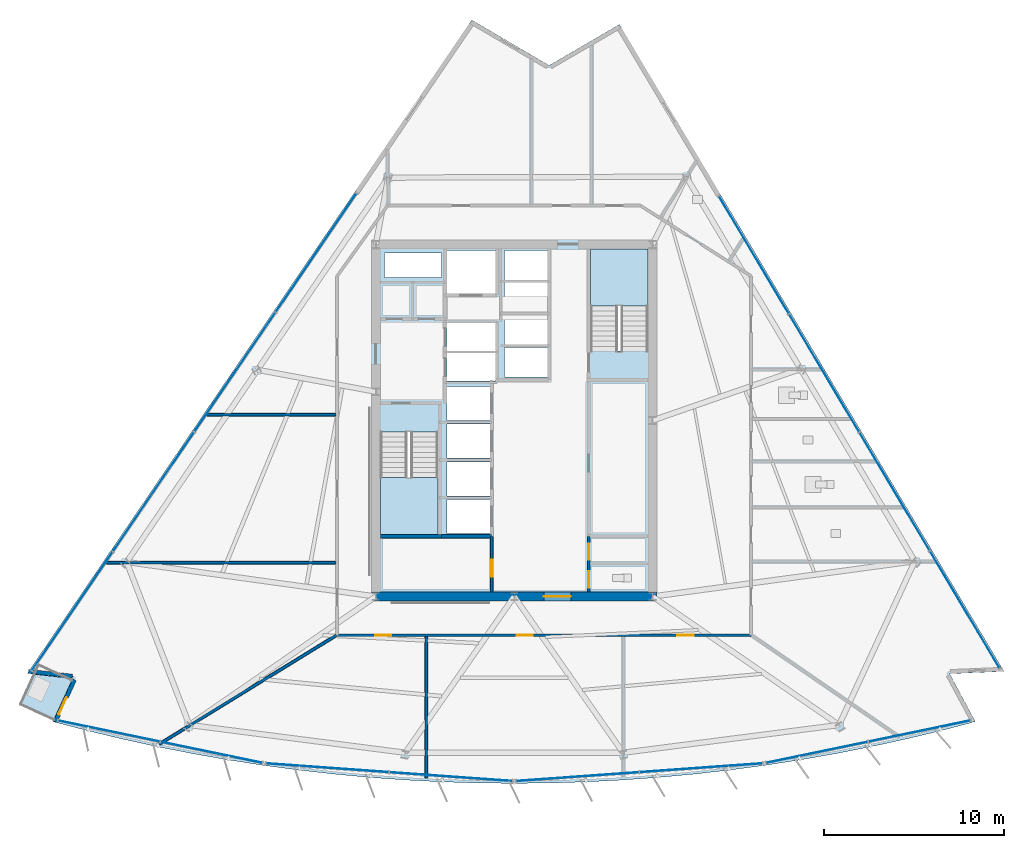
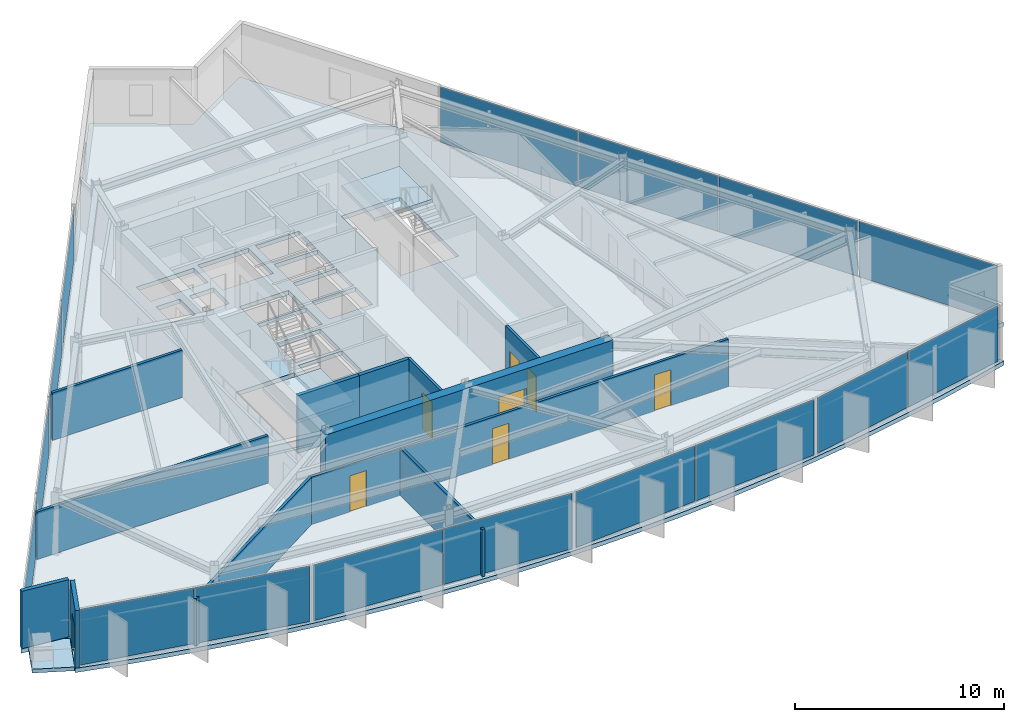
# One storey, part 7 of 15: 16 plates, 12 walls, 8 doors, 4 slabs, 8 openings, 8 elements without a shape of their own.
"""IFC4 building model written with IfcOpenShell, lengths in metres."""

from ifc_helpers import new_model, si_unit, direction, frame, frame_2d, origin, origin_2d, place, context, subcontext, project, spatial, polyline, rectangle, outline, extrude, material, layer, layer_set, type_object, element, fill, aggregate, save


model = new_model("IFC4")

# Units and contexts
model_context = context("Model", 3, precision=1e-05, world=origin(), true_north=direction((0.0, 1.0)))
body_context = subcontext(model_context, "Body", "Model", "MODEL_VIEW")
ifc_project = project(units=[si_unit("LENGTHUNIT", "METRE"), si_unit("AREAUNIT", "SQUARE_METRE"), si_unit("VOLUMEUNIT", "CUBIC_METRE"), si_unit("PLANEANGLEUNIT", "RADIAN"), si_unit("MASSUNIT", "GRAM", prefix="KILO")], contexts=[model_context])

# Site, building, storey
site_placement = place(None, origin())
site = spatial("IfcSite", under=ifc_project, at=site_placement, CompositionType="ELEMENT")
building_placement = place(site_placement, origin())
building = spatial("IfcBuilding", under=site, at=building_placement, Name="Savorim Split Tower", CompositionType="ELEMENT")
storey_placement = place(building_placement, frame((0.0, 0.0, 138.60009765625)))
storey = spatial("IfcBuildingStorey", under=building, at=storey_placement, Name="L36", CompositionType="ELEMENT", Elevation=138.60009765625)

# Curtain wall, plates
ifc_material_1 = material(Name="Dark Ceramic-Fritted Insulated Glass", Category="glass")
curtain_wall_type = type_object("IfcCurtainWallType", Name="CW-TWR-FRIT-A", PredefinedType="NOTDEFINED", material=ifc_material_1)
curtain_wall_1_placement = place(storey_placement, origin())
curtain_wall_1 = element("IfcCurtainWall", 1, at=curtain_wall_1_placement, inside=storey, type_object=curtain_wall_type, Name="L36 Curtain Wall CW-L36-SF1", PredefinedType="NOTDEFINED")
ifc_layer_1 = layer(ifc_material_1, 0.028076171875)
ifc_layer_set_1 = layer_set([ifc_layer_1], Name="CWP-FRITA-28")
plate_type = type_object("IfcPlateType", Name="CWP-FRITA-28", PredefinedType="CURTAIN_PANEL", material=ifc_layer_set_1)
plate_1_placement = place(storey_placement, frame((-22.55322265625, -16.891357421875, 0.0546875), z_axis=(0.0, 0.0, 1.0), x_axis=(0.979135184824, -0.203209964912, 0.0)))
plate_1 = element("IfcPlate", 2, at=plate_1_placement, type_object=plate_type, Name="CW-02 panel 1.1", PredefinedType="CURTAIN_PANEL", context=body_context, shape_type="SweptSolid", body=[
    extrude(rectangle(XDim=5.75390625, YDim=0.028076171875, at=origin_2d()), origin(), (0.0, 0.0, 1.0), 3.239990234375),
])
plate_2_placement = place(storey_placement, frame((-16.85595703125, -18.073974609375, 0.0546875), z_axis=(0.0, 0.0, 1.0), x_axis=(0.979135184824, -0.203209964912, 0.0)))
plate_2 = element("IfcPlate", 3, at=plate_2_placement, type_object=plate_type, Name="CW-02 panel 2.1", PredefinedType="CURTAIN_PANEL", context=body_context, shape_type="SweptSolid", body=[
    extrude(rectangle(XDim=5.75390625, YDim=0.028076171875, at=origin_2d()), origin(), (0.0, 0.0, 1.0), 3.239990234375),
])
aggregate(curtain_wall_1, [plate_1, plate_2])

curtain_wall_2_placement = place(storey_placement, origin())
curtain_wall_2 = element("IfcCurtainWall", 4, at=curtain_wall_2_placement, inside=storey, type_object=curtain_wall_type, Name="L36 Curtain Wall CW-L36-SF2", PredefinedType="NOTDEFINED")
plate_3_placement = place(storey_placement, frame((-10.40087890625, -18.93505859375, 0.0546875), z_axis=(0.0, 0.0, 1.0), x_axis=(0.997436231017, -0.071560918492, 0.0)))
plate_3 = element("IfcPlate", 5, at=plate_3_placement, type_object=plate_type, Name="CW-02 panel 1.1", PredefinedType="CURTAIN_PANEL", context=body_context, shape_type="SweptSolid", body=[
    extrude(rectangle(XDim=6.830810546875, YDim=0.028076171875, at=origin_2d()), origin(), (0.0, 0.0, 1.0), 3.239990234375),
])
plate_4_placement = place(storey_placement, frame((-3.522705078125, -19.428466796875, 0.0546875), z_axis=(0.0, 0.0, 1.0), x_axis=(0.997436231017, -0.071560918492, 0.0)))
plate_4 = element("IfcPlate", 6, at=plate_4_placement, type_object=plate_type, Name="CW-02 panel 2.1", PredefinedType="CURTAIN_PANEL", context=body_context, shape_type="SweptSolid", body=[
    extrude(rectangle(XDim=6.830810546875, YDim=0.028076171875, at=origin_2d()), origin(), (0.0, 0.0, 1.0), 3.239990234375),
])
aggregate(curtain_wall_2, [plate_3, plate_4])

curtain_wall_3_placement = place(storey_placement, origin())
curtain_wall_3 = element("IfcCurtainWall", 7, at=curtain_wall_3_placement, inside=storey, type_object=curtain_wall_type, Name="L36 Curtain Wall CW-L36-SF3", PredefinedType="NOTDEFINED")
plate_5_placement = place(storey_placement, frame((3.522705078125, -19.428466796875, 0.0546875), z_axis=(0.0, 0.0, 1.0), x_axis=(0.997436231017, 0.071560918492, 0.0)))
plate_5 = element("IfcPlate", 8, at=plate_5_placement, type_object=plate_type, Name="CW-02 panel 1.1", PredefinedType="CURTAIN_PANEL", context=body_context, shape_type="SweptSolid", body=[
    extrude(rectangle(XDim=6.830810546875, YDim=0.028076171875, at=origin_2d()), origin(), (0.0, 0.0, 1.0), 3.239990234375),
])
plate_6_placement = place(storey_placement, frame((10.40087890625, -18.93505859375, 0.0546875), z_axis=(0.0, 0.0, 1.0), x_axis=(0.997436231017, 0.071560918492, 0.0)))
plate_6 = element("IfcPlate", 9, at=plate_6_placement, type_object=plate_type, Name="CW-02 panel 2.1", PredefinedType="CURTAIN_PANEL", context=body_context, shape_type="SweptSolid", body=[
    extrude(rectangle(XDim=6.830810546875, YDim=0.028076171875, at=origin_2d()), origin(), (0.0, 0.0, 1.0), 3.239990234375),
])
aggregate(curtain_wall_3, [plate_5, plate_6])

curtain_wall_4_placement = place(storey_placement, origin())
curtain_wall_4 = element("IfcCurtainWall", 10, at=curtain_wall_4_placement, inside=storey, type_object=curtain_wall_type, Name="L36 Curtain Wall CW-L36-SF4", PredefinedType="NOTDEFINED")
plate_7_placement = place(storey_placement, frame((16.85595703125, -18.073974609375, 0.0546875), z_axis=(0.0, 0.0, 1.0), x_axis=(0.979135184824, 0.203209964912, 0.0)))
plate_7 = element("IfcPlate", 11, at=plate_7_placement, type_object=plate_type, Name="CW-02 panel 1.1", PredefinedType="CURTAIN_PANEL", context=body_context, shape_type="SweptSolid", body=[
    extrude(rectangle(XDim=5.75390625, YDim=0.028076171875, at=origin_2d()), origin(), (0.0, 0.0, 1.0), 3.239990234375),
])
plate_8_placement = place(storey_placement, frame((22.55322265625, -16.891357421875, 0.0546875), z_axis=(0.0, 0.0, 1.0), x_axis=(0.979135184824, 0.203209964912, 0.0)))
plate_8 = element("IfcPlate", 12, at=plate_8_placement, type_object=plate_type, Name="CW-02 panel 2.1", PredefinedType="CURTAIN_PANEL", context=body_context, shape_type="SweptSolid", body=[
    extrude(rectangle(XDim=5.75390625, YDim=0.028076171875, at=origin_2d()), origin(), (0.0, 0.0, 1.0), 3.239990234375),
])
aggregate(curtain_wall_4, [plate_7, plate_8])

curtain_wall_5_placement = place(storey_placement, origin())
curtain_wall_5 = element("IfcCurtainWall", 13, at=curtain_wall_5_placement, inside=storey, type_object=curtain_wall_type, Name="L36 Curtain Wall CW-L36-EAST", PredefinedType="NOTDEFINED")
plate_9_placement = place(storey_placement, frame((25.0810546875, -10.131591796875, 0.0546875), z_axis=(0.0, 0.0, 1.0), x_axis=(-0.511091470039, 0.859526328423, 0.0)))
plate_9 = element("IfcPlate", 14, at=plate_9_placement, type_object=plate_type, Name="CW-02 panel 1.1", PredefinedType="CURTAIN_PANEL", context=body_context, shape_type="SweptSolid", body=[
    extrude(rectangle(XDim=7.57177734375, YDim=0.028076171875, at=origin_2d()), origin(), (0.0, 0.0, 1.0), 3.239990234375),
])
plate_10_placement = place(storey_placement, frame((21.169677734375, -3.553466796875, 0.0546875), z_axis=(0.0, 0.0, 1.0), x_axis=(-0.511091470039, 0.859526328423, 0.0)))
plate_10 = element("IfcPlate", 15, at=plate_10_placement, type_object=plate_type, Name="CW-02 panel 2.1", PredefinedType="CURTAIN_PANEL", context=body_context, shape_type="SweptSolid", body=[
    extrude(rectangle(XDim=7.604248046875, YDim=0.028076171875, at=origin_2d()), origin(), (0.0, 0.0, 1.0), 3.239990234375),
])
plate_11_placement = place(storey_placement, frame((17.25, 3.038330078125, 0.0546875), z_axis=(0.0, 0.0, 1.0), x_axis=(-0.511091470039, 0.859526328423, 0.0)))
plate_11 = element("IfcPlate", 16, at=plate_11_placement, type_object=plate_type, Name="CW-02 panel 3.1", PredefinedType="CURTAIN_PANEL", context=body_context, shape_type="SweptSolid", body=[
    extrude(rectangle(XDim=7.604248046875, YDim=0.028076171875, at=origin_2d()), origin(), (0.0, 0.0, 1.0), 3.239990234375),
])
plate_12_placement = place(storey_placement, frame((13.338623046875, 9.6162109375, 0.0546875), z_axis=(0.0, 0.0, 1.0), x_axis=(-0.511091470039, 0.859526328423, 0.0)))
plate_12 = element("IfcPlate", 17, at=plate_12_placement, type_object=plate_type, Name="CW-02 panel 4.1", PredefinedType="CURTAIN_PANEL", context=body_context, shape_type="SweptSolid", body=[
    extrude(rectangle(XDim=7.57177734375, YDim=0.028076171875, at=origin_2d()), origin(), (0.0, 0.0, 1.0), 3.239990234375),
])
aggregate(curtain_wall_5, [plate_9, plate_10, plate_11, plate_12])

curtain_wall_6_placement = place(storey_placement, origin())
curtain_wall_6 = element("IfcCurtainWall", 18, at=curtain_wall_6_placement, inside=storey, type_object=curtain_wall_type, Name="L36 Curtain Wall CW-L36-WEST", PredefinedType="NOTDEFINED")
plate_13_placement = place(storey_placement, frame((-11.025146484375, 9.7373046875, 0.0546875), z_axis=(0.0, 0.0, 1.0), x_axis=(-0.562466456356, -0.826820104662, 0.0)))
plate_13 = element("IfcPlate", 19, at=plate_13_placement, type_object=plate_type, Name="CW-02 panel 1.1", PredefinedType="CURTAIN_PANEL", context=body_context, shape_type="SweptSolid", body=[
    extrude(rectangle(XDim=7.9580078125, YDim=0.028076171875, at=origin_2d()), origin(), (0.0, 0.0, 1.0), 3.239990234375),
])
plate_14_placement = place(storey_placement, frame((-15.547119140625, 3.090087890625, 0.0546875), z_axis=(0.0, 0.0, 1.0), x_axis=(-0.562466456356, -0.826820104662, 0.0)))
plate_14 = element("IfcPlate", 20, at=plate_14_placement, type_object=plate_type, Name="CW-02 panel 2.1", PredefinedType="CURTAIN_PANEL", context=body_context, shape_type="SweptSolid", body=[
    extrude(rectangle(XDim=7.990478515625, YDim=0.028076171875, at=origin_2d()), origin(), (0.0, 0.0, 1.0), 3.239990234375),
])
plate_15_placement = place(storey_placement, frame((-20.077880859375, -3.5703125, 0.0546875), z_axis=(0.0, 0.0, 1.0), x_axis=(-0.562466456356, -0.826820104662, 0.0)))
plate_15 = element("IfcPlate", 21, at=plate_15_placement, type_object=plate_type, Name="CW-02 panel 3.1", PredefinedType="CURTAIN_PANEL", context=body_context, shape_type="SweptSolid", body=[
    extrude(rectangle(XDim=7.990478515625, YDim=0.028076171875, at=origin_2d()), origin(), (0.0, 0.0, 1.0), 3.239990234375),
])
plate_16_placement = place(storey_placement, frame((-24.599853515625, -10.217529296875, 0.0546875), z_axis=(0.0, 0.0, 1.0), x_axis=(-0.562466456356, -0.826820104662, 0.0)))
plate_16 = element("IfcPlate", 22, at=plate_16_placement, type_object=plate_type, Name="CW-02 panel 4.1", PredefinedType="CURTAIN_PANEL", context=body_context, shape_type="SweptSolid", body=[
    extrude(rectangle(XDim=7.9580078125, YDim=0.028076171875, at=origin_2d()), origin(), (0.0, 0.0, 1.0), 3.239990234375),
])
aggregate(curtain_wall_6, [plate_13, plate_14, plate_15, plate_16])

# Slab
ifc_material_2 = material(Name="Concrete C50/60", Category="concrete")
ifc_layer_2 = layer(ifc_material_2, 0.219970703125)
ifc_layer_set_2 = layer_set([ifc_layer_2], Name="SLB-BAL-220")
slab_type_1 = type_object("IfcSlabType", Name="SLB-BAL-220", PredefinedType="FLOOR", material=ifc_layer_set_2)
slab_1_placement = place(storey_placement, frame((0.0, 0.0, -0.22021484375)))
element("IfcSlab", 23, at=slab_1_placement, inside=storey, type_object=slab_type_1, Name="L36 Notched Corner Planted Tree Balcony Slab", PredefinedType="FLOOR", context=body_context, shape_type="SweptSolid", body=[
    extrude(outline(polyline([(-25.628173828125, -16.25537109375), (-24.62158203125, -14.06494140625), (-24.93212890625, -13.92236328125), (-26.71533203125, -13.723388671875), (-27.486328125, -15.401611328125), (-25.628173828125, -16.25537109375)])), origin(), (0.0, 0.0, 1.0), 0.22021484375),
])

# Stair, slab
stair_type = type_object("IfcStairType", Name="STR-DOG-3600", PredefinedType="HALF_TURN_STAIR", material=ifc_material_2)
stair_1_placement = place(storey_placement, origin())
stair_1 = element("IfcStair", 24, at=stair_1_placement, inside=storey, type_object=stair_type, Name="L36 Core Protected Exit Stair ST-1", PredefinedType="HALF_TURN_STAIR")
ifc_layer_3 = layer(ifc_material_2, 0.199951171875)
ifc_layer_set_3 = layer_set([ifc_layer_3], Name="SLB-LND-200")
slab_type_2 = type_object("IfcSlabType", Name="SLB-LND-200", PredefinedType="LANDING", material=ifc_layer_set_3)
slab_2_placement = place(storey_placement, frame((0.0, 0.0, 1.599853515625)))
slab_2 = element("IfcSlab", 25, at=slab_2_placement, type_object=slab_type_2, Name="ST-1 landing 1", PredefinedType="LANDING", context=body_context, shape_type="SweptSolid", body=[
    extrude(outline(polyline([(-7.449951171875, -2.77001953125), (-7.449951171875, -5.949951171875), (-4.25, -5.949951171875), (-4.25, -2.77001953125), (-7.449951171875, -2.77001953125)])), origin(), (0.0, 0.0, 1.0), 0.199951171875),
])
aggregate(stair_1, [slab_2])

stair_2_placement = place(storey_placement, origin())
stair_2 = element("IfcStair", 26, at=stair_2_placement, inside=storey, type_object=stair_type, Name="L36 Core Protected Exit Stair ST-2", PredefinedType="HALF_TURN_STAIR")
slab_3_placement = place(storey_placement, frame((0.0, 0.0, 1.599853515625)))
slab_3 = element("IfcSlab", 27, at=slab_3_placement, type_object=slab_type_2, Name="ST-2 landing 1", PredefinedType="LANDING", context=body_context, shape_type="SweptSolid", body=[
    extrude(outline(polyline([(7.449951171875, 6.77001953125), (7.449951171875, 9.949951171875), (4.25, 9.949951171875), (4.25, 6.77001953125), (7.449951171875, 6.77001953125)])), origin(), (0.0, 0.0, 1.0), 0.199951171875),
])
aggregate(stair_2, [slab_3])

# Slab
ifc_layer_4 = layer(ifc_material_2, 0.25)
ifc_layer_set_4 = layer_set([ifc_layer_4], Name="SLB-TWR-250")
slab_type_3 = type_object("IfcSlabType", Name="SLB-TWR-250", PredefinedType="FLOOR", material=ifc_layer_set_4)
slab_4_placement = place(storey_placement, frame((0.0, 0.0, -0.25)))
element("IfcSlab", 28, at=slab_4_placement, inside=storey, type_object=slab_type_3, Name="L36 Structural Floor Slab", PredefinedType="FLOOR", context=body_context, shape_type="SweptSolid", body=[
    extrude(outline(polyline([(-25.673583984375, -16.366455078125), (-23.740234375, -16.8720703125), (-21.797119140625, -17.337890625), (-19.844482421875, -17.763916015625), (-17.8837890625, -18.150146484375), (-15.915771484375, -18.495849609375), (-13.94091796875, -18.801513671875), (-11.960205078125, -19.06640625), (-9.974609375, -19.291015625), (-7.984619140625, -19.474609375), (-5.991455078125, -19.61767578125), (-3.99560546875, -19.7197265625), (-1.998291015625, -19.78125), (0.0, -19.801513671875), (1.998291015625, -19.78125), (3.99560546875, -19.7197265625), (5.991455078125, -19.61767578125), (7.984619140625, -19.474609375), (9.974609375, -19.291015625), (11.960205078125, -19.06640625), (13.94091796875, -18.801513671875), (15.915771484375, -18.495849609375), (17.8837890625, -18.150146484375), (19.844482421875, -17.763916015625), (21.797119140625, -17.337890625), (23.740234375, -16.8720703125), (25.673583984375, -16.366455078125), (24.24169921875, -13.69775390625), (27.2646484375, -13.569091796875), (5.852294921875, 22.44091796875), (1.943603515625, 20.162841796875), (-2.358154296875, 22.69091796875), (-27.097412109375, -13.675537109375), (-24.567138671875, -13.9580078125), (-25.673583984375, -16.366455078125)]), holes=[polyline([(-7.449951171875, -0.25390625), (-7.449951171875, -5.949951171875), (-4.25, -5.949951171875), (-4.25, -0.25390625), (-7.449951171875, -0.25390625)]), polyline([(7.449951171875, 4.25390625), (7.449951171875, 9.949951171875), (4.25, 9.949951171875), (4.25, 4.25390625), (7.449951171875, 4.25390625)]), polyline([(-3.75, -5.89990234375), (-1.35009765625, -5.89990234375), (-1.35009765625, -4.0), (-3.75, -4.0), (-3.75, -5.89990234375)]), polyline([(-3.75, -3.800048828125), (-1.35009765625, -3.800048828125), (-1.35009765625, -1.89990234375), (-3.75, -1.89990234375), (-3.75, -3.800048828125)]), polyline([(-3.75, -1.699951171875), (-1.35009765625, -1.699951171875), (-1.35009765625, 0.199951171875), (-3.75, 0.199951171875), (-3.75, -1.699951171875)]), polyline([(-3.75, 0.39990234375), (-1.35009765625, 0.39990234375), (-1.35009765625, 2.300048828125), (-3.75, 2.300048828125), (-3.75, 0.39990234375)]), polyline([(-0.550048828125, 2.830078125), (1.85009765625, 2.830078125), (1.85009765625, 4.469970703125), (-0.550048828125, 4.469970703125), (-0.550048828125, 2.830078125)]), polyline([(-0.550048828125, 4.6298828125), (1.85009765625, 4.6298828125), (1.85009765625, 6.27001953125), (-0.550048828125, 6.27001953125), (-0.550048828125, 4.6298828125)]), polyline([(-0.550048828125, 6.429931640625), (1.85009765625, 6.429931640625), (1.85009765625, 8.070068359375), (-0.550048828125, 8.070068359375), (-0.550048828125, 6.429931640625)]), polyline([(-0.550048828125, 8.22998046875), (1.85009765625, 8.22998046875), (1.85009765625, 9.8701171875), (-0.550048828125, 9.8701171875), (-0.550048828125, 8.22998046875)]), polyline([(-3.75, 2.60009765625), (-1.050048828125, 2.60009765625), (-1.050048828125, 4.159912109375), (-3.75, 4.159912109375), (-3.75, 2.60009765625)]), polyline([(-3.75, 4.280029296875), (-1.050048828125, 4.280029296875), (-1.050048828125, 5.840087890625), (-3.75, 5.840087890625), (-3.75, 4.280029296875)]), polyline([(-3.75, 7.449951171875), (-0.949951171875, 7.449951171875), (-0.949951171875, 9.85009765625), (-3.75, 9.85009765625), (-3.75, 7.449951171875)]), polyline([(-7.219970703125, 6.320068359375), (-5.919921875, 6.320068359375), (-5.919921875, 7.820068359375), (-7.219970703125, 7.820068359375), (-7.219970703125, 6.320068359375)]), polyline([(-5.3798828125, 6.320068359375), (-4.050048828125, 6.320068359375), (-4.050048828125, 7.820068359375), (-5.3798828125, 7.820068359375), (-5.3798828125, 6.320068359375)]), polyline([(-7.219970703125, 8.360107421875), (-4.050048828125, 8.360107421875), (-4.050048828125, 9.719970703125), (-7.219970703125, 9.719970703125), (-7.219970703125, 8.360107421875)])]), origin(), (0.0, 0.0, 1.0), 0.25),
])

# Wall, opening, door
ifc_material_3 = material(Name="Concrete C60/75", Category="concrete")
ifc_layer_5 = layer(ifc_material_3, 0.5)
ifc_layer_set_5 = layer_set([ifc_layer_5], Name="WAL-COR-SH500")
wall_type_1 = type_object("IfcWallType", Name="WAL-COR-SH500", PredefinedType="SHEAR", material=ifc_layer_set_5)
wall_1_placement = place(storey_placement, frame((-7.949951171875, -9.39990234375, 0.0), z_axis=(0.0, 0.0, 1.0), x_axis=(1.0, 0.0, 0.0)))
wall_1 = element("IfcWall", 29, at=wall_1_placement, inside=storey, type_object=wall_type_1, Name="L36 Offset Core South Shear Wall", PredefinedType="SHEAR", context=body_context, shape_type="SweptSolid", body=[
    extrude(rectangle(XDim=15.89990234375, YDim=0.5, at=frame_2d((7.949951171875, 0.0))), origin(), (0.0, 0.0, 1.0), 3.349853515625),
])
opening_1_placement = place(wall_1_placement, frame((9.60009765625, 0.0, 0.0)))
opening_1 = element("IfcOpeningElement", 30, at=opening_1_placement, cuts=wall_1, Name="Opening DI-02", PredefinedType="OPENING", context=body_context, shape_type="SweptSolid", body=[
    extrude(rectangle(XDim=1.5, YDim=2.199951171875, at=frame_2d((0.75, 1.10009765625))), frame((0.0, 0.260009765625, 0.0), z_axis=(0.0, -1.0, 0.0), x_axis=(1.0, 0.0, 0.0)), (0.0, 0.0, 1.0), 0.52001953125),
])
ifc_material_4 = material(Name="Timber Fire Door Leaf", Category="wood")
door_type_1 = type_object("IfcDoorType", Name="DOR-DBL-1500", OperationType="NOTDEFINED", PredefinedType="DOOR", material=ifc_material_4)
door_1_placement = place(opening_1_placement, origin())
door_1 = element("IfcDoor", 31, at=door_1_placement, inside=storey, type_object=door_type_1, Name="DOR-L36-COR-LLOB - L36 Lift Lobby Main Rated Door", OperationType="DOUBLE_DOOR_SINGLE_SWING", OverallHeight=2.199951171875, OverallWidth=1.5, PredefinedType="DOOR", context=body_context, shape_type="SweptSolid", body=[
    extrude(rectangle(XDim=1.5, YDim=2.199951171875, at=frame_2d((0.75, 1.10009765625))), frame((0.0, 0.02490234375, 0.0), z_axis=(0.0, -1.0, 0.0), x_axis=(1.0, 0.0, 0.0)), (0.0, 0.0, 1.0), 0.050048828125),
])
fill(opening_1, door_1)

# Wall
ifc_material_5 = material(Name="Precast concrete C40/50", Category="concrete")
ifc_layer_6 = layer(ifc_material_5, 0.219970703125)
ifc_layer_set_6 = layer_set([ifc_layer_6], Name="WAL-EXT-CRN220")
wall_type_2 = type_object("IfcWallType", Name="WAL-EXT-CRN220", PredefinedType="SOLIDWALL", material=ifc_layer_set_6)
wall_2_placement = place(storey_placement, frame((-24.593505859375, -13.83447265625, 0.0), z_axis=(0.0, 0.0, 1.0), x_axis=(-0.993823222634, 0.110974781609, 0.0)))
element("IfcWall", 32, at=wall_2_placement, inside=storey, type_object=wall_type_2, Name="L36 Notched Corner Facade Wall SW1", PredefinedType="SOLIDWALL", context=body_context, shape_type="SweptSolid", body=[
    extrude(rectangle(XDim=2.466064453125, YDim=0.219970703125, at=frame_2d((1.23291015625, 0.0))), origin(), (0.0, 0.0, 1.0), 3.349853515625),
])

# Wall, opening, door
wall_3_placement = place(storey_placement, frame((-25.5478515625, -16.380126953125, 0.0), z_axis=(0.0, 0.0, 1.0), x_axis=(0.417449299542, 0.908700215864, 0.0)))
wall_3 = element("IfcWall", 33, at=wall_3_placement, inside=storey, type_object=wall_type_2, Name="L36 Notched Corner Facade Wall SW", PredefinedType="SOLIDWALL", context=body_context, shape_type="SweptSolid", body=[
    extrude(rectangle(XDim=2.5703125, YDim=0.219970703125, at=frame_2d((1.28515625, 0.0))), origin(), (0.0, 0.0, 1.0), 3.349853515625),
])
opening_2_placement = place(wall_3_placement, frame((0.460205078125, 0.0, 0.0)))
opening_2 = element("IfcOpeningElement", 34, at=opening_2_placement, cuts=wall_3, Name="Opening DB-01", PredefinedType="OPENING", context=body_context, shape_type="SweptSolid", body=[
    extrude(rectangle(XDim=1.050048828125, YDim=2.14990234375, at=frame_2d((0.52490234375, 1.074951171875))), frame((0.0, 0.119873046875, 0.0), z_axis=(0.0, -1.0, 0.0), x_axis=(1.0, 0.0, 0.0)), (0.0, 0.0, 1.0), 0.239990234375),
])
ifc_material_6 = material(Name="Charcoal Anodised Aluminium", Category="aluminium")
door_type_2 = type_object("IfcDoorType", Name="DOR-BAL-1050", OperationType="NOTDEFINED", PredefinedType="DOOR", material=ifc_material_6)
door_2_placement = place(opening_2_placement, origin())
door_2 = element("IfcDoor", 35, at=door_2_placement, inside=storey, type_object=door_type_2, Name="DOR-L36-TBAL-SW - L36 Planted Tree Balcony Door SW", OperationType="SINGLE_SWING_LEFT", OverallHeight=2.14990234375, OverallWidth=1.050048828125, PredefinedType="DOOR", context=body_context, shape_type="SweptSolid", body=[
    extrude(rectangle(XDim=1.050048828125, YDim=2.14990234375, at=frame_2d((0.52490234375, 1.074951171875))), frame((0.0, 0.02490234375, 0.0), z_axis=(0.0, -1.0, 0.0), x_axis=(1.0, 0.0, 0.0)), (0.0, 0.0, 1.0), 0.050048828125),
])
fill(opening_2, door_2)

# Walls
ifc_layer_7 = layer(ifc_material_2, 0.199951171875)
ifc_layer_set_7 = layer_set([ifc_layer_7], Name="WAL-INT-RC200")
wall_type_3 = type_object("IfcWallType", Name="WAL-INT-RC200", PredefinedType="SOLIDWALL", material=ifc_layer_set_7)
wall_4_placement = place(storey_placement, frame((-7.449951171875, -6.050048828125, 0.0), z_axis=(0.0, 0.0, 1.0), x_axis=(1.0, 0.0, 0.0)))
element("IfcWall", 36, at=wall_4_placement, inside=storey, type_object=wall_type_3, Name="L36 Structural Shaft Wall W-L36-KSEP-W", PredefinedType="SOLIDWALL", context=body_context, shape_type="SweptSolid", body=[
    extrude(rectangle(XDim=3.39990234375, YDim=0.199951171875, at=frame_2d((1.699951171875, 0.0))), origin(), (0.0, 0.0, 1.0), 3.349853515625),
])
wall_5_placement = place(storey_placement, frame((-4.0400390625, -6.050048828125, 0.0), z_axis=(0.0, 0.0, 1.0), x_axis=(1.0, 0.0, 0.0)))
element("IfcWall", 37, at=wall_5_placement, inside=storey, type_object=wall_type_3, Name="L36 Partition W-L36-KSEP-W2", PredefinedType="SOLIDWALL", context=body_context, shape_type="SweptSolid", body=[
    extrude(rectangle(XDim=2.7900390625, YDim=0.199951171875, at=frame_2d((1.39501953125, 0.0))), origin(), (0.0, 0.0, 1.0), 3.349853515625),
])

# Wall, opening, door
ifc_material_7 = material(Name="Acoustic Gypsum Partition Board")
ifc_layer_8 = layer(ifc_material_7, 0.14990234375)
ifc_layer_set_8 = layer_set([ifc_layer_8], Name="WAL-PAR-150")
wall_type_4 = type_object("IfcWallType", Name="WAL-PAR-150", PredefinedType="PARTITIONING", material=ifc_layer_set_8)
wall_6_placement = place(storey_placement, frame((-1.25, -9.14501953125, 0.0), z_axis=(0.0, 0.0, 1.0), x_axis=(0.0, 1.0, 0.0)))
wall_6 = element("IfcWall", 38, at=wall_6_placement, inside=storey, type_object=wall_type_4, Name="L36 Partition W-L36-KLOB-W", PredefinedType="PARTITIONING", context=body_context, shape_type="SweptSolid", body=[
    extrude(rectangle(XDim=3.094970703125, YDim=0.14990234375, at=frame_2d((1.54736328125, 0.0))), origin(), (0.0, 0.0, 1.0), 3.349853515625),
])
opening_3_placement = place(wall_6_placement, frame((0.844970703125, 0.0, 0.0)))
opening_3 = element("IfcOpeningElement", 39, at=opening_3_placement, cuts=wall_6, Name="Opening DI-05", PredefinedType="OPENING", context=body_context, shape_type="SweptSolid", body=[
    extrude(rectangle(XDim=0.949951171875, YDim=2.10009765625, at=frame_2d((0.47509765625, 1.050048828125))), frame((0.0, 0.0849609375, 0.0), z_axis=(0.0, -1.0, 0.0), x_axis=(1.0, 0.0, 0.0)), (0.0, 0.0, 1.0), 0.169921875),
])
door_type_3 = type_object("IfcDoorType", Name="DOR-FIR-950", OperationType="NOTDEFINED", PredefinedType="DOOR", material=ifc_material_4)
door_3_placement = place(opening_3_placement, origin())
door_3 = element("IfcDoor", 40, at=door_3_placement, inside=storey, type_object=door_type_3, Name="DR-L36-K3LIN - L36 Housekeeping Store Door", OperationType="SINGLE_SWING_LEFT", OverallHeight=2.10009765625, OverallWidth=0.949951171875, PredefinedType="DOOR", context=body_context, shape_type="SweptSolid", body=[
    extrude(rectangle(XDim=0.949951171875, YDim=2.10009765625, at=frame_2d((0.47509765625, 1.050048828125))), frame((0.0, 0.02490234375, 0.0), z_axis=(0.0, -1.0, 0.0), x_axis=(1.0, 0.0, 0.0)), (0.0, 0.0, 1.0), 0.050048828125),
])
fill(opening_3, door_3)

# Wall, openings, doors
wall_7_placement = place(storey_placement, frame((4.14990234375, -9.14501953125, 0.0), z_axis=(0.0, 0.0, 1.0), x_axis=(0.0, 1.0, 0.0)))
wall_7 = element("IfcWall", 41, at=wall_7_placement, inside=storey, type_object=wall_type_4, Name="L36 Partition W-L36-KLOB-E", PredefinedType="PARTITIONING", context=body_context, shape_type="SweptSolid", body=[
    extrude(rectangle(XDim=3.094970703125, YDim=0.14990234375, at=frame_2d((1.54736328125, 0.0))), origin(), (0.0, 0.0, 1.0), 3.349853515625),
])
opening_4_placement = place(wall_7_placement, frame((0.2451171875, 0.0, 0.0)))
opening_4 = element("IfcOpeningElement", 42, at=opening_4_placement, cuts=wall_7, Name="Opening DI-11", PredefinedType="OPENING", context=body_context, shape_type="SweptSolid", body=[
    extrude(rectangle(XDim=0.89990234375, YDim=2.10009765625, at=frame_2d((0.449951171875, 1.050048828125))), frame((0.0, 0.0849609375, 0.0), z_axis=(0.0, -1.0, 0.0), x_axis=(1.0, 0.0, 0.0)), (0.0, 0.0, 1.0), 0.169921875),
])
opening_5_placement = place(wall_7_placement, frame((1.794921875, 0.0, 0.0)))
opening_5 = element("IfcOpeningElement", 43, at=opening_5_placement, cuts=wall_7, Name="Opening DI-06", PredefinedType="OPENING", context=body_context, shape_type="SweptSolid", body=[
    extrude(rectangle(XDim=0.89990234375, YDim=2.10009765625, at=frame_2d((0.449951171875, 1.050048828125))), frame((0.0, 0.0849609375, 0.0), z_axis=(0.0, -1.0, 0.0), x_axis=(1.0, 0.0, 0.0)), (0.0, 0.0, 1.0), 0.169921875),
])
door_type_4 = type_object("IfcDoorType", Name="DOR-FIR-900", OperationType="NOTDEFINED", PredefinedType="DOOR", material=ifc_material_4)
door_4_placement = place(opening_5_placement, origin())
door_4 = element("IfcDoor", 44, at=door_4_placement, inside=storey, type_object=door_type_4, Name="DR-L36-K3LCK - L36 Cleaning Store Door", OperationType="SINGLE_SWING_LEFT", OverallHeight=2.10009765625, OverallWidth=0.89990234375, PredefinedType="DOOR", context=body_context, shape_type="SweptSolid", body=[
    extrude(rectangle(XDim=0.89990234375, YDim=2.10009765625, at=frame_2d((0.449951171875, 1.050048828125))), frame((0.0, 0.02490234375, 0.0), z_axis=(0.0, -1.0, 0.0), x_axis=(1.0, 0.0, 0.0)), (0.0, 0.0, 1.0), 0.050048828125),
])
fill(opening_5, door_4)
ifc_material_8 = material(Name="Oak Veneer Acoustic Door")
door_type_5 = type_object("IfcDoorType", Name="DOR-WC-900", OperationType="NOTDEFINED", PredefinedType="DOOR", material=ifc_material_8)
door_5_placement = place(opening_4_placement, origin())
door_5 = element("IfcDoor", 45, at=door_5_placement, inside=storey, type_object=door_type_5, Name="DR-L36-K3AWC - L36 Core Accessible WC Door", OperationType="SINGLE_SWING_RIGHT", OverallHeight=2.10009765625, OverallWidth=0.89990234375, PredefinedType="DOOR", context=body_context, shape_type="SweptSolid", body=[
    extrude(rectangle(XDim=0.89990234375, YDim=2.10009765625, at=frame_2d((0.449951171875, 1.050048828125))), frame((0.0, 0.02490234375, 0.0), z_axis=(0.0, -1.0, 0.0), x_axis=(1.0, 0.0, 0.0)), (0.0, 0.0, 1.0), 0.050048828125),
])
fill(opening_4, door_5)

wall_8_placement = place(storey_placement, frame((13.179931640625, -11.56005859375, 0.0), z_axis=(0.0, 0.0, 1.0), x_axis=(-1.0, 0.0, 0.0)))
wall_8 = element("IfcWall", 46, at=wall_8_placement, inside=storey, type_object=wall_type_4, Name="L36 Partition W-L36-COR-06", PredefinedType="PARTITIONING", context=body_context, shape_type="SweptSolid", body=[
    extrude(rectangle(XDim=23.0400390625, YDim=0.14990234375, at=frame_2d((11.52001953125, 0.0))), origin(), (0.0, 0.0, 1.0), 2.77490234375),
])
opening_6_placement = place(wall_8_placement, frame((20.022216796875, 0.0, 0.0)))
opening_6 = element("IfcOpeningElement", 47, at=opening_6_placement, cuts=wall_8, Name="Opening DI-06", PredefinedType="OPENING", context=body_context, shape_type="SweptSolid", body=[
    extrude(rectangle(XDim=0.89990234375, YDim=2.10009765625, at=frame_2d((0.449951171875, 1.050048828125))), frame((0.0, 0.0849609375, 0.0), z_axis=(0.0, -1.0, 0.0), x_axis=(1.0, 0.0, 0.0)), (0.0, 0.0, 1.0), 0.169921875),
])
opening_7_placement = place(wall_8_placement, frame((12.144775390625, 0.0, 0.0)))
opening_7 = element("IfcOpeningElement", 48, at=opening_7_placement, cuts=wall_8, Name="Opening DI-06", PredefinedType="OPENING", context=body_context, shape_type="SweptSolid", body=[
    extrude(rectangle(XDim=0.89990234375, YDim=2.10009765625, at=frame_2d((0.449951171875, 1.050048828125))), frame((0.0, 0.0849609375, 0.0), z_axis=(0.0, -1.0, 0.0), x_axis=(1.0, 0.0, 0.0)), (0.0, 0.0, 1.0), 0.169921875),
])
opening_8_placement = place(wall_8_placement, frame((3.192626953125, 0.0, 0.0)))
opening_8 = element("IfcOpeningElement", 49, at=opening_8_placement, cuts=wall_8, Name="Opening DI-06", PredefinedType="OPENING", context=body_context, shape_type="SweptSolid", body=[
    extrude(rectangle(XDim=0.89990234375, YDim=2.10009765625, at=frame_2d((0.449951171875, 1.050048828125))), frame((0.0, 0.0849609375, 0.0), z_axis=(0.0, -1.0, 0.0), x_axis=(1.0, 0.0, 0.0)), (0.0, 0.0, 1.0), 0.169921875),
])
door_6_placement = place(opening_6_placement, origin())
door_6 = element("IfcDoor", 50, at=door_6_placement, inside=storey, type_object=door_type_4, Name="DR-L36-RM03 - L36 Co-Working Commons Entry Door", OperationType="SINGLE_SWING_RIGHT", OverallHeight=2.10009765625, OverallWidth=0.89990234375, PredefinedType="DOOR", context=body_context, shape_type="SweptSolid", body=[
    extrude(rectangle(XDim=0.89990234375, YDim=2.10009765625, at=frame_2d((0.449951171875, 1.050048828125))), frame((0.0, 0.02490234375, 0.0), z_axis=(0.0, -1.0, 0.0), x_axis=(1.0, 0.0, 0.0)), (0.0, 0.0, 1.0), 0.050048828125),
])
fill(opening_6, door_6)
door_7_placement = place(opening_7_placement, origin())
door_7 = element("IfcDoor", 51, at=door_7_placement, inside=storey, type_object=door_type_4, Name="DR-L36-RM04 - L36 Maker Workshop Entry Door", OperationType="SINGLE_SWING_LEFT", OverallHeight=2.10009765625, OverallWidth=0.89990234375, PredefinedType="DOOR", context=body_context, shape_type="SweptSolid", body=[
    extrude(rectangle(XDim=0.89990234375, YDim=2.10009765625, at=frame_2d((0.449951171875, 1.050048828125))), frame((0.0, 0.02490234375, 0.0), z_axis=(0.0, -1.0, 0.0), x_axis=(1.0, 0.0, 0.0)), (0.0, 0.0, 1.0), 0.050048828125),
])
fill(opening_7, door_7)
door_8_placement = place(opening_8_placement, origin())
door_8 = element("IfcDoor", 52, at=door_8_placement, inside=storey, type_object=door_type_4, Name="DR-L36-RM05 - L36 Co-Working Commons Entry Door", OperationType="SINGLE_SWING_RIGHT", OverallHeight=2.10009765625, OverallWidth=0.89990234375, PredefinedType="DOOR", context=body_context, shape_type="SweptSolid", body=[
    extrude(rectangle(XDim=0.89990234375, YDim=2.10009765625, at=frame_2d((0.449951171875, 1.050048828125))), frame((0.0, 0.02490234375, 0.0), z_axis=(0.0, -1.0, 0.0), x_axis=(1.0, 0.0, 0.0)), (0.0, 0.0, 1.0), 0.050048828125),
])
fill(opening_8, door_8)

# Walls
wall_9_placement = place(storey_placement, frame((-9.89599609375, -11.5576171875, 0.0), z_axis=(0.0, 0.0, 1.0), x_axis=(-0.851965628371, -0.523597715879, 0.0)))
element("IfcWall", 53, at=wall_9_placement, inside=storey, type_object=wall_type_4, Name="L36 Partition W-L36-PRAD01", PredefinedType="PARTITIONING", context=body_context, shape_type="SweptSolid", body=[
    extrude(rectangle(XDim=11.559814453125, YDim=0.14990234375, at=frame_2d((5.77978515625, 0.0))), origin(), (0.0, 0.0, 1.0), 2.77490234375),
])
wall_10_placement = place(storey_placement, frame((-9.919921875, -7.5205078125, 0.0), z_axis=(0.0, 0.0, 1.0), x_axis=(-1.0, 0.0, 0.0)))
element("IfcWall", 54, at=wall_10_placement, inside=storey, type_object=wall_type_4, Name="L36 Partition W-L36-PRAD10", PredefinedType="PARTITIONING", context=body_context, shape_type="SweptSolid", body=[
    extrude(rectangle(XDim=12.784912109375, YDim=0.14990234375, at=frame_2d((6.392578125, 0.0))), origin(), (0.0, 0.0, 1.0), 2.77490234375),
])
wall_11_placement = place(storey_placement, frame((-9.919921875, 0.72119140625, 0.0), z_axis=(0.0, 0.0, 1.0), x_axis=(-1.0, 0.0, 0.0)))
element("IfcWall", 55, at=wall_11_placement, inside=storey, type_object=wall_type_4, Name="L36 Partition W-L36-SUB04", PredefinedType="PARTITIONING", context=body_context, shape_type="SweptSolid", body=[
    extrude(rectangle(XDim=7.17822265625, YDim=0.14990234375, at=frame_2d((3.589111328125, 0.0))), origin(), (0.0, 0.0, 1.0), 2.77490234375),
])
wall_12_placement = place(storey_placement, frame((-4.902587890625, -11.6201171875, 0.0), z_axis=(0.0, 0.0, 1.0), x_axis=(0.0, -1.0, 0.0)))
element("IfcWall", 56, at=wall_12_placement, inside=storey, type_object=wall_type_4, Name="L36 Partition W-L36-SUB05", PredefinedType="PARTITIONING", context=body_context, shape_type="SweptSolid", body=[
    extrude(rectangle(XDim=7.883056640625, YDim=0.14990234375, at=frame_2d((3.94140625, 0.0))), origin(), (0.0, 0.0, 1.0), 2.77490234375),
])

save(model, "model.ifc")
